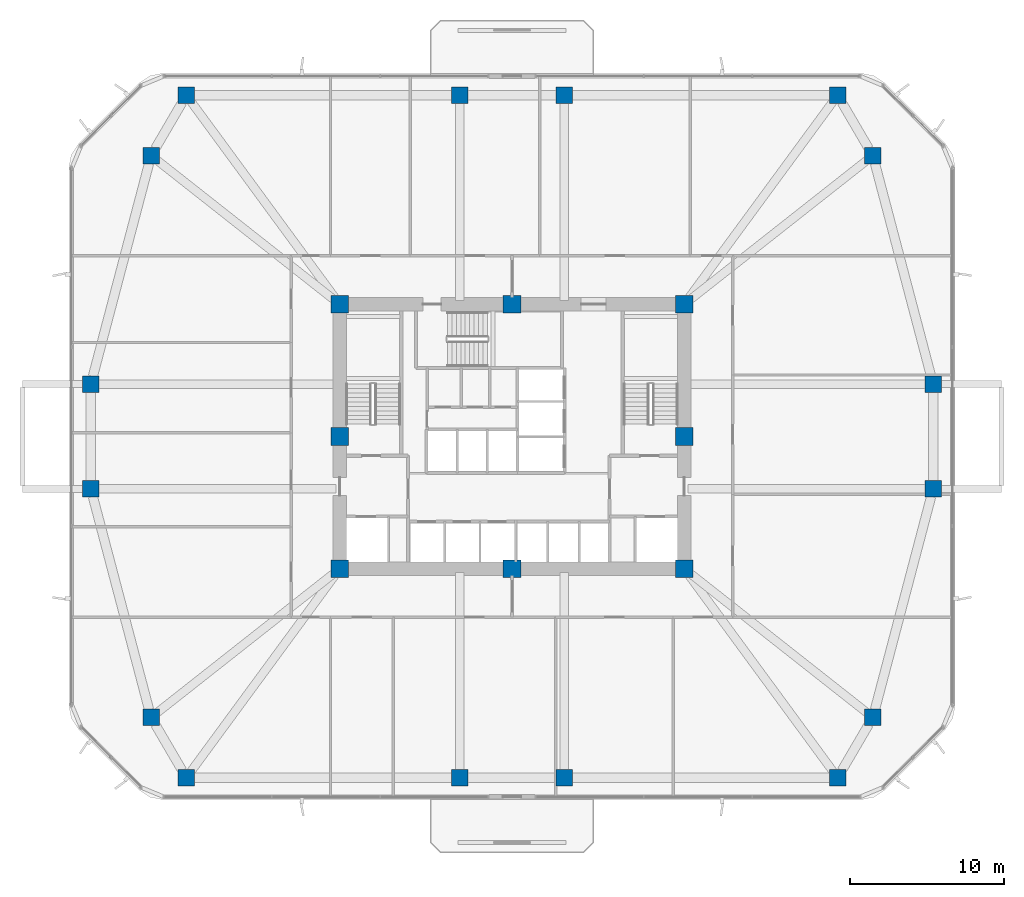
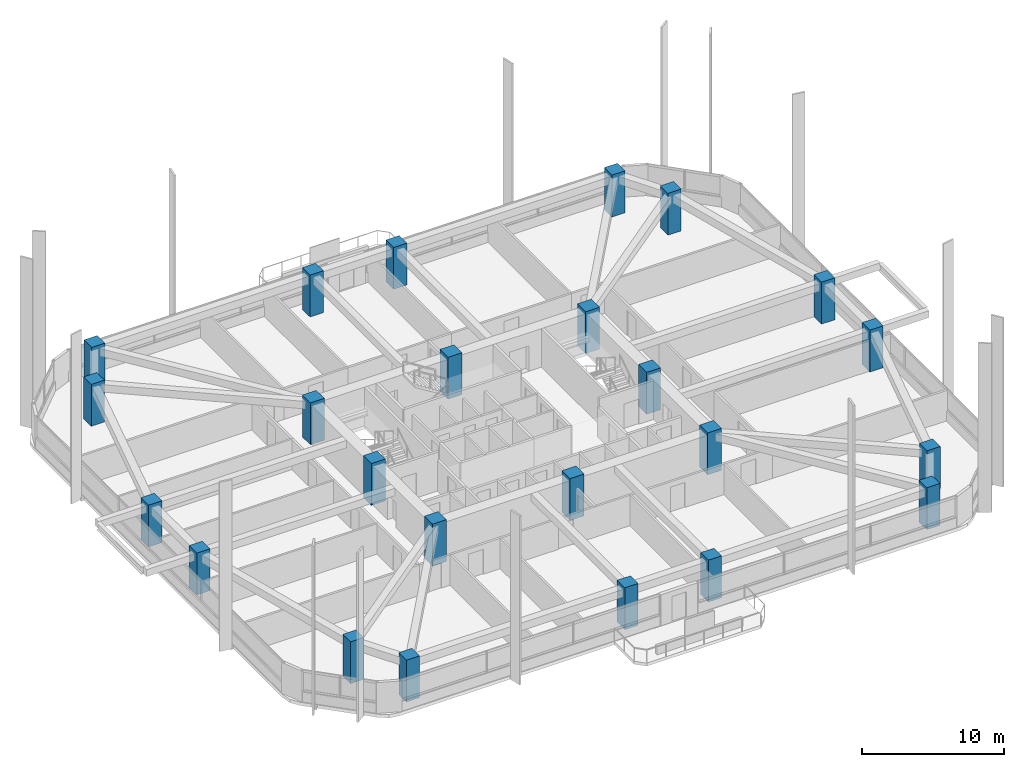
# One storey, part 1 of 17: 24 columns.
"""IFC4 building model written with IfcOpenShell, lengths in metres."""

from ifc_helpers import new_model, si_unit, derived_unit, direction, frame, origin, origin_2d, place, context, subcontext, project, spatial, rectangle, extrude, material, material_profile, profile_set, type_object, element, save


model = new_model("IFC4")

# Units and contexts
model_context = context("Model", 3, precision=1e-05, world=origin(), true_north=direction((0.0, 1.0)))
body_context = subcontext(model_context, "Body", "Model", "MODEL_VIEW")
ifc_project = project(units=[si_unit("LENGTHUNIT", "METRE"), si_unit("AREAUNIT", "SQUARE_METRE"), si_unit("VOLUMEUNIT", "CUBIC_METRE"), si_unit("PLANEANGLEUNIT", "RADIAN"), si_unit("MASSUNIT", "GRAM", prefix="KILO"), derived_unit("THERMALTRANSMITTANCEUNIT", [(si_unit("POWERUNIT", "WATT"), 1), (si_unit("LENGTHUNIT", "METRE"), -2), (si_unit("THERMODYNAMICTEMPERATUREUNIT", "KELVIN"), -1)])], contexts=[model_context])

# Site, building, storey
site_placement = place(None, origin())
site = spatial("IfcSite", under=ifc_project, at=site_placement, CompositionType="ELEMENT")
building_placement = place(site_placement, origin())
building = spatial("IfcBuilding", under=site, at=building_placement, Name="Koralith Skygarden Medical Center", CompositionType="ELEMENT")
storey_placement = place(building_placement, frame((0.0, 0.0, 52.739990234375)))
storey = spatial("IfcBuildingStorey", under=building, at=storey_placement, Name="L13", CompositionType="ELEMENT", Elevation=52.739990234375)

# Columns
ifc_material = material(Name="Concrete C70/85", Category="concrete")
ifc_material_profile_1 = material_profile(ifc_material, rectangle(XDim=1.139892578125, YDim=1.139892578125, at=origin_2d()), Name="RC1140X1140")
ifc_profile_set_1 = profile_set([ifc_material_profile_1], Name="Concrete C70/85")
column_type_1 = type_object("IfcColumnType", Name="Core Mega-Column C70 RC1140", PredefinedType="COLUMN", material=ifc_profile_set_1)
for number, where, z_axis, x_axis, name in (
    (1, (25.800048828125, 17.300048828125, 0.0), (0.0, 0.0, 1.0), (1.0, 0.0, 0.0), "L13 Core Column CC-01"),
    (2, (37.0, 17.300048828125, 0.0), (0.0, 0.0, 1.0), (1.0, 0.0, 0.0), "L13 Core Column CC-02"),
    (3, (48.199951171875, 17.300048828125, 0.0), (0.0, 0.0, 1.0), (1.0, 0.0, 0.0), "L13 Core Column CC-03"),
    (4, (48.199951171875, 25.89990234375, 0.0), (0.0, 0.0, 1.0), (1.0, 0.0, 0.0), "L13 Core Column CC-04"),
    (5, (48.199951171875, 34.5, 0.0), (0.0, 0.0, 1.0), (1.0, 0.0, 0.0), "L13 Core Column CC-05"),
    (6, (37.0, 34.5, 0.0), (0.0, 0.0, 1.0), (1.0, 0.0, 0.0), "L13 Core Column CC-06"),
    (7, (25.800048828125, 34.5, 0.0), (0.0, 0.0, 1.0), (1.0, 0.0, 0.0), "L13 Core Column CC-07"),
    (8, (25.800048828125, 25.89990234375, 0.0), (0.0, 0.0, 1.0), (1.0, 0.0, 0.0), "L13 Core Column CC-08"),
):
    element("IfcColumn", number, at=place(storey_placement, frame(where, z_axis=z_axis, x_axis=x_axis)), inside=storey, type_object=column_type_1, Name=name, PredefinedType="COLUMN", context=body_context, shape_type="SweptSolid", body=[
        extrude(rectangle(XDim=1.139892578125, YDim=1.139892578125, at=origin_2d()), origin(), (0.0, 0.0, 1.0), 3.60009765625),
    ])
ifc_material_profile_2 = material_profile(ifc_material, rectangle(XDim=1.080078125, YDim=1.080078125, at=origin_2d()), Name="RC1080X1080")
ifc_profile_set_2 = profile_set([ifc_material_profile_2], Name="Concrete C70/85")
column_type_2 = type_object("IfcColumnType", Name="Zone 1 Octagonal Mega-Column C70 RC1080", PredefinedType="COLUMN", material=ifc_profile_set_2)
for number, where, z_axis, x_axis, name in (
    (9, (9.6201171875, 22.5, 0.0), (0.0, 0.0, 1.0), (1.0, 0.0, 0.0), "L13 Perimeter Mega-Column MC-01"),
    (10, (13.5400390625, 7.639892578125, 0.0), (0.0, 0.0, 1.0), (1.0, 0.0, 0.0), "L13 Perimeter Mega-Column MC-02"),
    (11, (15.83203125, 3.719970703125, 0.0), (0.0, 0.0, 1.0), (1.0, 0.0, 0.0), "L13 Perimeter Mega-Column MC-03"),
    (12, (33.60009765625, 3.719970703125, 0.0), (0.0, 0.0, 1.0), (1.0, 0.0, 0.0), "L13 Perimeter Mega-Column MC-04"),
    (13, (40.39990234375, 3.719970703125, 0.0), (0.0, 0.0, 1.0), (1.0, 0.0, 0.0), "L13 Perimeter Mega-Column MC-05"),
    (14, (58.16796875, 3.719970703125, 0.0), (0.0, 0.0, 1.0), (1.0, 0.0, 0.0), "L13 Perimeter Mega-Column MC-06"),
    (15, (60.4599609375, 7.639892578125, 0.0), (0.0, 0.0, 1.0), (1.0, 0.0, 0.0), "L13 Perimeter Mega-Column MC-07"),
    (16, (64.3798828125, 22.5, 0.0), (0.0, 0.0, 1.0), (1.0, 0.0, 0.0), "L13 Perimeter Mega-Column MC-08"),
    (17, (64.3798828125, 29.300048828125, 0.0), (0.0, 0.0, 1.0), (1.0, 0.0, 0.0), "L13 Perimeter Mega-Column MC-09"),
    (18, (60.4599609375, 44.159912109375, 0.0), (0.0, 0.0, 1.0), (1.0, 0.0, 0.0), "L13 Perimeter Mega-Column MC-10"),
    (19, (58.16796875, 48.080078125, 0.0), (0.0, 0.0, 1.0), (1.0, 0.0, 0.0), "L13 Perimeter Mega-Column MC-11"),
    (20, (40.39990234375, 48.080078125, 0.0), (0.0, 0.0, 1.0), (1.0, 0.0, 0.0), "L13 Perimeter Mega-Column MC-12"),
    (21, (33.60009765625, 48.080078125, 0.0), (0.0, 0.0, 1.0), (1.0, 0.0, 0.0), "L13 Perimeter Mega-Column MC-13"),
    (22, (15.83203125, 48.080078125, 0.0), (0.0, 0.0, 1.0), (1.0, 0.0, 0.0), "L13 Perimeter Mega-Column MC-14"),
    (23, (13.5400390625, 44.159912109375, 0.0), (0.0, 0.0, 1.0), (1.0, 0.0, 0.0), "L13 Perimeter Mega-Column MC-15"),
    (24, (9.6201171875, 29.300048828125, 0.0), (0.0, 0.0, 1.0), (1.0, 0.0, 0.0), "L13 Perimeter Mega-Column MC-16"),
):
    element("IfcColumn", number, at=place(storey_placement, frame(where, z_axis=z_axis, x_axis=x_axis)), inside=storey, type_object=column_type_2, Name=name, PredefinedType="COLUMN", context=body_context, shape_type="SweptSolid", body=[
        extrude(rectangle(XDim=1.080078125, YDim=1.080078125, at=origin_2d()), origin(), (0.0, 0.0, 1.0), 3.60009765625),
    ])

save(model, "model.ifc")
